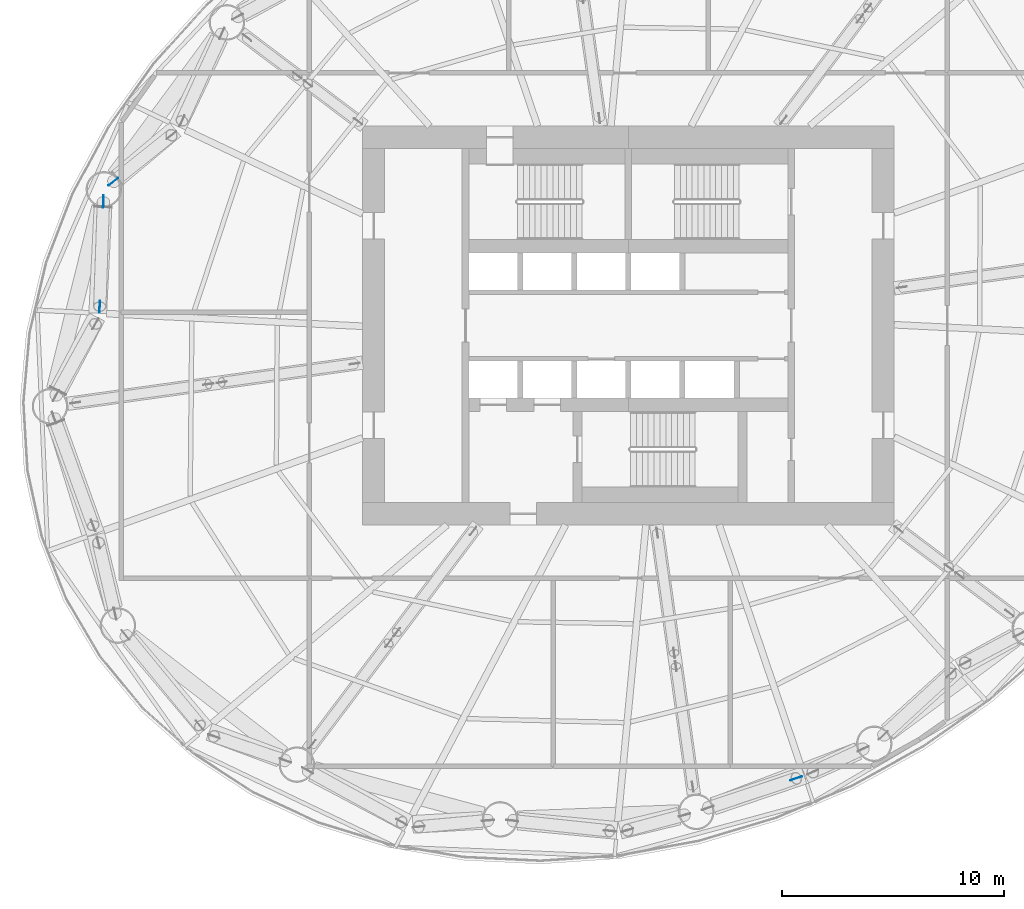
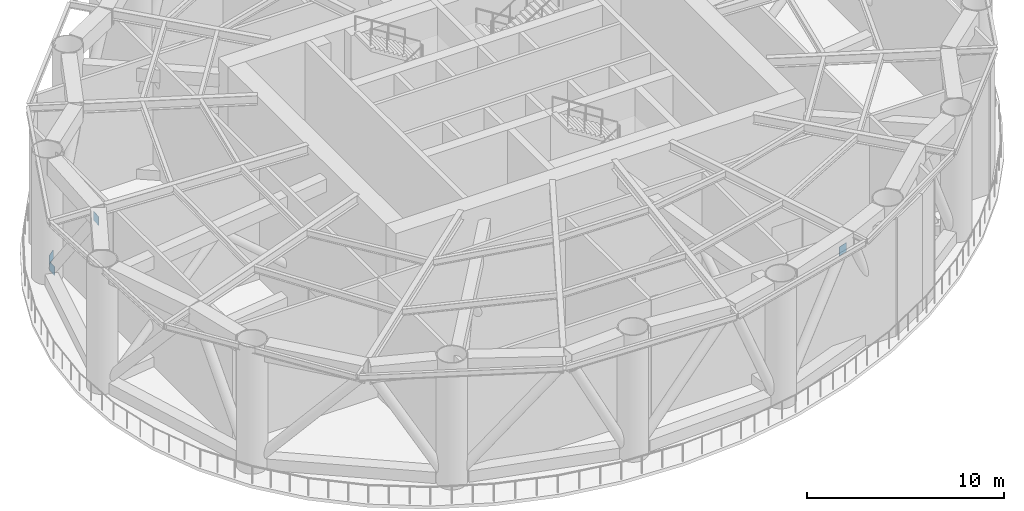
# One storey, part 9 of 15: 4 discrete accessories.
"""IFC4 building model written with IfcOpenShell, lengths in metres."""

from ifc_helpers import new_model, si_unit, direction, frame, origin, origin_2d, place, context, subcontext, project, spatial, rectangle, extrude, element, save


model = new_model("IFC4")

# Units and contexts
model_context = context("Model", 3, precision=1e-05, world=origin(), true_north=direction((0.0, 1.0)))
body_context = subcontext(model_context, "Body", "Model", "MODEL_VIEW")
ifc_project = project(units=[si_unit("LENGTHUNIT", "METRE"), si_unit("AREAUNIT", "SQUARE_METRE"), si_unit("VOLUMEUNIT", "CUBIC_METRE"), si_unit("PLANEANGLEUNIT", "RADIAN"), si_unit("MASSUNIT", "GRAM", prefix="KILO")], contexts=[model_context])

# Site, building, storey
site_placement = place(None, origin())
site = spatial("IfcSite", under=ifc_project, at=site_placement, CompositionType="ELEMENT")
building_placement = place(site_placement, origin())
building = spatial("IfcBuilding", under=site, at=building_placement, Name="Vermilion Reach Broadcast Tower", CompositionType="ELEMENT")
storey_placement = place(building_placement, frame((0.0, 0.0, 135.39990234375)))
storey = spatial("IfcBuildingStorey", under=building, at=storey_placement, Name="L32", CompositionType="ELEMENT", Elevation=135.39990234375)

# Discrete accessories
for number, where, z_axis, x_axis, name in (
    (1, (-29.249267578125, 6.489501953125, 0.52490234375), (0.0, 0.0, 1.0), (-0.62492224011, 0.780687001183, 0.0), "Gusset plate BT2-D06B foot"),
    (2, (-29.69775390625, 5.59619140625, 0.52490234375), (0.0, 0.0, 1.0), (0.999393166234, -0.034832445851, 0.0), "Gusset plate BT2-D07A foot"),
    (3, (-29.863037109375, 0.8525390625, 6.56494140625), (0.0, 0.0, 1.0), (0.999393166234, -0.034832445851, 0.0), "Gusset plate BT2-D07A head"),
    (4, (1.578125, -20.443603515625, 6.56494140625), (0.0, 0.0, 1.0), (-0.317744603637, 0.948176337429, 0.0), "Gusset plate BT2-D12A head"),
):
    element("IfcDiscreteAccessory", number, at=place(storey_placement, frame(where, z_axis=z_axis, x_axis=x_axis)), inside=storey, Name=name, PredefinedType="NOTDEFINED", context=body_context, shape_type="SweptSolid", body=[
        extrude(rectangle(XDim=0.02490234375, YDim=0.550048828125, at=origin_2d()), origin(), (0.0, 0.0, 1.0), 0.550048828125),
    ])

save(model, "model.ifc")
